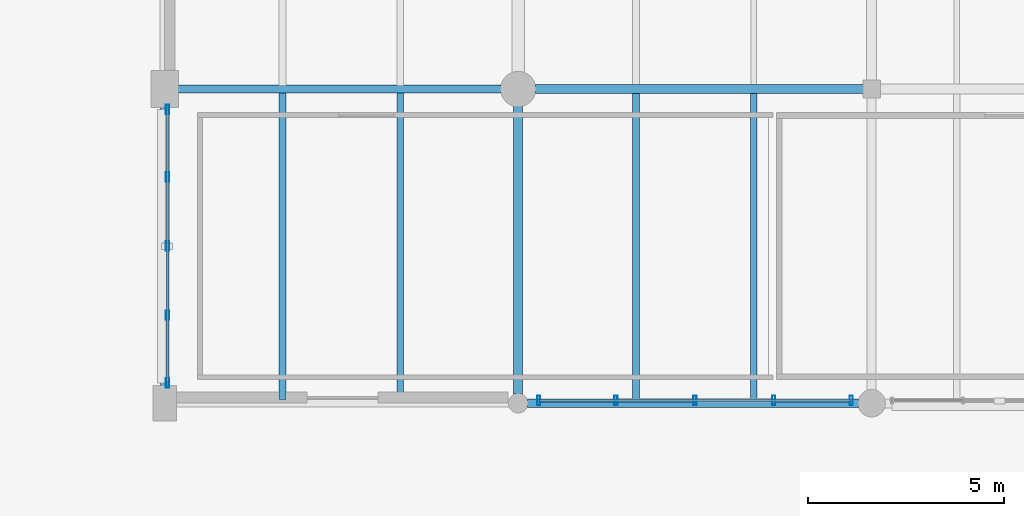
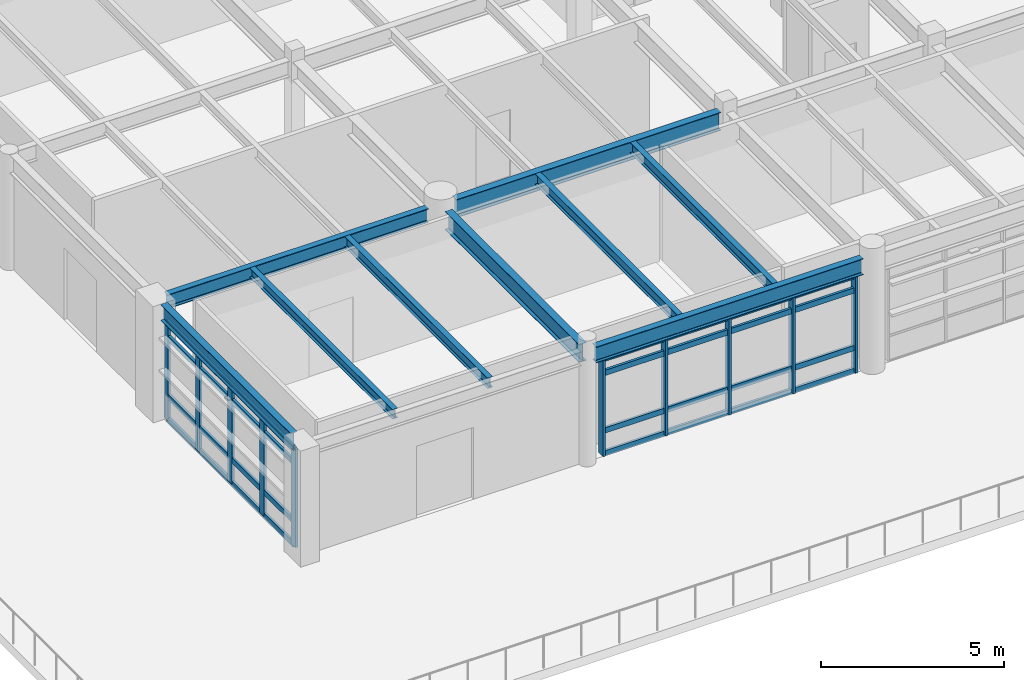
# One storey, part 7 of 56: 18 members, 9 beams, 2 elements without a shape of their own.
"""IFC4 building model written with IfcOpenShell, lengths in metres."""

from ifc_helpers import new_model, si_unit, direction, frame, origin, origin_2d, place, context, subcontext, project, spatial, hollow_rectangle, i_section, extrude, material, material_profile, profile_set, type_object, element, aggregate, save


model = new_model("IFC4")

# Units and contexts
model_context = context("Model", 3, precision=1e-05, world=origin(), true_north=direction((0.0, 1.0)))
body_context = subcontext(model_context, "Body", "Model", "MODEL_VIEW")
ifc_project = project(units=[si_unit("LENGTHUNIT", "METRE"), si_unit("AREAUNIT", "SQUARE_METRE"), si_unit("VOLUMEUNIT", "CUBIC_METRE"), si_unit("PLANEANGLEUNIT", "RADIAN"), si_unit("MASSUNIT", "GRAM", prefix="KILO"), si_unit("THERMODYNAMICTEMPERATUREUNIT", "KELVIN"), si_unit("POWERUNIT", "WATT")], contexts=[model_context])

# Site, building, storey
site_placement = place(None, origin())
site = spatial("IfcSite", under=ifc_project, at=site_placement, CompositionType="ELEMENT")
building_placement = place(site_placement, origin())
building = spatial("IfcBuilding", under=site, at=building_placement, Name="Tepalcoro Natatorium and Aquatics Centre", CompositionType="ELEMENT")
storey_placement = place(building_placement, frame((0.0, 0.0, 14.800048828125)))
storey = spatial("IfcBuildingStorey", under=building, at=storey_placement, Name="L03", CompositionType="ELEMENT", Elevation=14.800048828125)

# Beams
ifc_material_1 = material(Name="Steel ASTM A992 Grade 50 (Fy 345 MPa)", Category="steel")
ifc_material_profile_1 = material_profile(ifc_material_1, i_section(OverallWidth=0.193115234375, OverallDepth=0.467041015625, WebThickness=0.010986328125, FlangeThickness=0.01904296875, FilletRadius=0.013916015625, at=origin_2d()), Name="W18X65")
ifc_profile_set_1 = profile_set([ifc_material_profile_1], Name="Steel ASTM A992 Grade 50 (Fy 345 MPa)")
beam_type_1 = type_object("IfcBeamType", Name="BM_W18x65", PredefinedType="BEAM", material=ifc_profile_set_1)
beam_1_placement = place(storey_placement, frame((107.3349609375, 102.0, 3.571533203125), z_axis=(1.0, 0.0, 0.0), x_axis=(0.0, 1.0, 0.0)))
element("IfcBeam", 1, at=beam_1_placement, inside=storey, type_object=beam_type_1, Name="V5 L03 Grid Girder X", PredefinedType="BEAM", context=body_context, shape_type="SweptSolid", body=[
    extrude(i_section(OverallWidth=0.193115234375, OverallDepth=0.467041015625, WebThickness=0.010986328125, FlangeThickness=0.01904296875, FilletRadius=0.013916015625, at=origin_2d()), origin(), (0.0, 0.0, 1.0), 8.22998046875),
])
ifc_material_profile_2 = material_profile(ifc_material_1, i_section(OverallWidth=0.22802734375, OverallDepth=0.60693359375, WebThickness=0.010986328125, FlangeThickness=0.01708984375, FilletRadius=0.013916015625, at=origin_2d()), Name="W24X76")
ifc_profile_set_2 = profile_set([ifc_material_profile_2], Name="Steel ASTM A992 Grade 50 (Fy 345 MPa)")
beam_type_2 = type_object("IfcBeamType", Name="BM_W24x76", PredefinedType="BEAM", material=ifc_profile_set_2)
beam_2_placement = place(storey_placement, frame((116.43505859375, 102.0, 3.50146484375), z_axis=(1.0, 0.0, 0.0), x_axis=(0.0, 1.0, 0.0)))
element("IfcBeam", 2, at=beam_2_placement, inside=storey, type_object=beam_type_2, Name="V5 L03 Grid Girder X", PredefinedType="BEAM", context=body_context, shape_type="SweptSolid", body=[
    extrude(i_section(OverallWidth=0.22802734375, OverallDepth=0.60693359375, WebThickness=0.010986328125, FlangeThickness=0.01708984375, FilletRadius=0.013916015625, at=origin_2d()), origin(), (0.0, 0.0, 1.0), 8.35498046875),
])
beam_3_placement = place(storey_placement, frame((116.0, 94.235107421875, 3.50146484375), z_axis=(0.0, 1.0, 0.0), x_axis=(-1.0, 0.0, 0.0)))
element("IfcBeam", 3, at=beam_3_placement, inside=storey, type_object=beam_type_2, Name="V5 L03 Grid Girder Y", PredefinedType="BEAM", context=body_context, shape_type="SweptSolid", body=[
    extrude(i_section(OverallWidth=0.22802734375, OverallDepth=0.60693359375, WebThickness=0.010986328125, FlangeThickness=0.01708984375, FilletRadius=0.013916015625, at=origin_2d()), origin(), (0.0, 0.0, 1.0), 7.329833984375),
])

# Curtain wall, members
ifc_material_2 = material(Name="Bronze-Anodised Extruded Aluminium Alloy EN AW-6063 T6", Category="aluminium")
curtain_wall_type_1 = type_object("IfcCurtainWallType", Name="CW_V3_FOYER", PredefinedType="USERDEFINED", material=ifc_material_2)
curtain_wall_1_placement = place(storey_placement, origin())
curtain_wall_1 = element("IfcCurtainWall", 4, at=curtain_wall_1_placement, inside=storey, type_object=curtain_wall_type_1, Name="V5 L03 S Unitised Curtain Wall Bay 2", ObjectType="UNITISED STOREFRONT", PredefinedType="USERDEFINED")
ifc_material_profile_3 = material_profile(ifc_material_2, hollow_rectangle(XDim=0.080078125, YDim=0.239990234375, WallThickness=0.0048828125, at=origin_2d()), Name="AL80X240X5")
ifc_profile_set_3 = profile_set([ifc_material_profile_3], Name="Bronze-Anodised Extruded Aluminium Alloy EN AW-6063 T6")
member_type_1 = type_object("IfcMemberType", Name="CW_MUL_80x240", PredefinedType="MULLION", material=ifc_profile_set_3)
member_1_placement = place(storey_placement, frame((116.52001953125, 94.0712890625, 0.02001953125), z_axis=(0.0, 0.0, 1.0), x_axis=(1.0, 0.0, 0.0)))
member_1 = element("IfcMember", 5, at=member_1_placement, type_object=member_type_1, Name="CW_V3_FOYER Curtain Wall Mullion", PredefinedType="MULLION", context=body_context, shape_type="SweptSolid", body=[
    extrude(hollow_rectangle(XDim=0.080078125, YDim=0.239990234375, WallThickness=0.0048828125, at=origin_2d()), origin(), (0.0, 0.0, 1.0), 3.2138671875),
])
member_2_placement = place(storey_placement, frame((118.489990234375, 94.0712890625, 0.02001953125), z_axis=(0.0, 0.0, 1.0), x_axis=(1.0, 0.0, 0.0)))
member_2 = element("IfcMember", 6, at=member_2_placement, type_object=member_type_1, Name="CW_V3_FOYER Curtain Wall Mullion", PredefinedType="MULLION", context=body_context, shape_type="SweptSolid", body=[
    extrude(hollow_rectangle(XDim=0.080078125, YDim=0.239990234375, WallThickness=0.0048828125, at=origin_2d()), origin(), (0.0, 0.0, 1.0), 3.2138671875),
])
member_3_placement = place(storey_placement, frame((120.5, 94.0712890625, 0.02001953125), z_axis=(0.0, 0.0, 1.0), x_axis=(1.0, 0.0, 0.0)))
member_3 = element("IfcMember", 7, at=member_3_placement, type_object=member_type_1, Name="CW_V3_FOYER Curtain Wall Mullion", PredefinedType="MULLION", context=body_context, shape_type="SweptSolid", body=[
    extrude(hollow_rectangle(XDim=0.080078125, YDim=0.239990234375, WallThickness=0.0048828125, at=origin_2d()), origin(), (0.0, 0.0, 1.0), 3.2138671875),
])
member_4_placement = place(storey_placement, frame((122.510009765625, 94.0712890625, 0.02001953125), z_axis=(0.0, 0.0, 1.0), x_axis=(1.0, 0.0, 0.0)))
member_4 = element("IfcMember", 8, at=member_4_placement, type_object=member_type_1, Name="CW_V3_FOYER Curtain Wall Mullion", PredefinedType="MULLION", context=body_context, shape_type="SweptSolid", body=[
    extrude(hollow_rectangle(XDim=0.080078125, YDim=0.239990234375, WallThickness=0.0048828125, at=origin_2d()), origin(), (0.0, 0.0, 1.0), 3.2138671875),
])
member_5_placement = place(storey_placement, frame((124.47998046875, 94.0712890625, 0.02001953125), z_axis=(0.0, 0.0, 1.0), x_axis=(1.0, 0.0, 0.0)))
member_5 = element("IfcMember", 9, at=member_5_placement, type_object=member_type_1, Name="CW_V3_FOYER Curtain Wall Mullion", PredefinedType="MULLION", context=body_context, shape_type="SweptSolid", body=[
    extrude(hollow_rectangle(XDim=0.080078125, YDim=0.239990234375, WallThickness=0.0048828125, at=origin_2d()), origin(), (0.0, 0.0, 1.0), 3.2138671875),
])

curtain_wall_type_2 = type_object("IfcCurtainWallType", Name="CW_V5_UPPER", PredefinedType="USERDEFINED", material=ifc_material_2)
curtain_wall_2_placement = place(storey_placement, origin())
curtain_wall_2 = element("IfcCurtainWall", 10, at=curtain_wall_2_placement, inside=storey, type_object=curtain_wall_type_2, Name="V5 L03 W Unitised Curtain Wall Bay 1", ObjectType="FACETED SOLAR GLAZING", PredefinedType="USERDEFINED")
member_6_placement = place(storey_placement, frame((107.0712890625, 94.52001953125, 0.02001953125), z_axis=(0.0, 0.0, 1.0), x_axis=(1.0, 0.0, 0.0)))
member_6 = element("IfcMember", 11, at=member_6_placement, type_object=member_type_1, Name="CW_V5_UPPER Curtain Wall Mullion", PredefinedType="MULLION", context=body_context, shape_type="SweptSolid", body=[
    extrude(hollow_rectangle(XDim=0.080078125, YDim=0.239990234375, WallThickness=0.0048828125, at=origin_2d()), origin(), (0.0, 0.0, 1.0), 3.27392578125),
])
member_7_placement = place(storey_placement, frame((107.0712890625, 96.239990234375, 0.02001953125), z_axis=(0.0, 0.0, 1.0), x_axis=(1.0, 0.0, 0.0)))
member_7 = element("IfcMember", 12, at=member_7_placement, type_object=member_type_1, Name="CW_V5_UPPER Curtain Wall Mullion", PredefinedType="MULLION", context=body_context, shape_type="SweptSolid", body=[
    extrude(hollow_rectangle(XDim=0.080078125, YDim=0.239990234375, WallThickness=0.0048828125, at=origin_2d()), origin(), (0.0, 0.0, 1.0), 3.27392578125),
])
member_8_placement = place(storey_placement, frame((107.0712890625, 98.0, 0.02001953125), z_axis=(0.0, 0.0, 1.0), x_axis=(1.0, 0.0, 0.0)))
member_8 = element("IfcMember", 13, at=member_8_placement, type_object=member_type_1, Name="CW_V5_UPPER Curtain Wall Mullion", PredefinedType="MULLION", context=body_context, shape_type="SweptSolid", body=[
    extrude(hollow_rectangle(XDim=0.080078125, YDim=0.239990234375, WallThickness=0.0048828125, at=origin_2d()), origin(), (0.0, 0.0, 1.0), 3.27392578125),
])
member_9_placement = place(storey_placement, frame((107.0712890625, 99.760009765625, 0.02001953125), z_axis=(0.0, 0.0, 1.0), x_axis=(1.0, 0.0, 0.0)))
member_9 = element("IfcMember", 14, at=member_9_placement, type_object=member_type_1, Name="CW_V5_UPPER Curtain Wall Mullion", PredefinedType="MULLION", context=body_context, shape_type="SweptSolid", body=[
    extrude(hollow_rectangle(XDim=0.080078125, YDim=0.239990234375, WallThickness=0.0048828125, at=origin_2d()), origin(), (0.0, 0.0, 1.0), 3.27392578125),
])
member_10_placement = place(storey_placement, frame((107.0712890625, 101.47998046875, 0.02001953125), z_axis=(0.0, 0.0, 1.0), x_axis=(1.0, 0.0, 0.0)))
member_10 = element("IfcMember", 15, at=member_10_placement, type_object=member_type_1, Name="CW_V5_UPPER Curtain Wall Mullion", PredefinedType="MULLION", context=body_context, shape_type="SweptSolid", body=[
    extrude(hollow_rectangle(XDim=0.080078125, YDim=0.239990234375, WallThickness=0.0048828125, at=origin_2d()), origin(), (0.0, 0.0, 1.0), 3.27392578125),
])

# Member
ifc_material_profile_4 = material_profile(ifc_material_2, hollow_rectangle(XDim=0.080078125, YDim=0.179931640625, WallThickness=0.0048828125, at=origin_2d()), Name="AL80X180X5")
ifc_profile_set_4 = profile_set([ifc_material_profile_4], Name="Bronze-Anodised Extruded Aluminium Alloy EN AW-6063 T6")
member_type_2 = type_object("IfcMemberType", Name="CW_TRN_80x180", PredefinedType="USERDEFINED", material=ifc_profile_set_4)
member_11_placement = place(storey_placement, frame((116.530029296875, 94.0712890625, 0.050048828125), z_axis=(1.0, 0.0, 0.0), x_axis=(0.0, 1.0, 0.0)))
member_11 = element("IfcMember", 16, at=member_11_placement, type_object=member_type_2, Name="CW_V3_FOYER Curtain Wall Transom", ObjectType="TRANSOM", PredefinedType="USERDEFINED", context=body_context, shape_type="SweptSolid", body=[
    extrude(hollow_rectangle(XDim=0.080078125, YDim=0.179931640625, WallThickness=0.0048828125, at=origin_2d()), origin(), (0.0, 0.0, 1.0), 7.93994140625),
])

member_12_placement = place(storey_placement, frame((116.530029296875, 94.0712890625, 0.8134765625), z_axis=(1.0, 0.0, 0.0), x_axis=(0.0, 1.0, 0.0)))
member_12 = element("IfcMember", 17, at=member_12_placement, type_object=member_type_2, Name="CW_V3_FOYER Curtain Wall Transom", ObjectType="TRANSOM", PredefinedType="USERDEFINED", context=body_context, shape_type="SweptSolid", body=[
    extrude(hollow_rectangle(XDim=0.080078125, YDim=0.179931640625, WallThickness=0.0048828125, at=origin_2d()), origin(), (0.0, 0.0, 1.0), 7.93994140625),
])

member_13_placement = place(storey_placement, frame((116.530029296875, 94.0712890625, 2.7333984375), z_axis=(1.0, 0.0, 0.0), x_axis=(0.0, 1.0, 0.0)))
member_13 = element("IfcMember", 18, at=member_13_placement, type_object=member_type_2, Name="CW_V3_FOYER Curtain Wall Transom", ObjectType="TRANSOM", PredefinedType="USERDEFINED", context=body_context, shape_type="SweptSolid", body=[
    extrude(hollow_rectangle(XDim=0.080078125, YDim=0.179931640625, WallThickness=0.0048828125, at=origin_2d()), origin(), (0.0, 0.0, 1.0), 7.93994140625),
])

member_14_placement = place(storey_placement, frame((116.530029296875, 94.0712890625, 3.203857421875), z_axis=(1.0, 0.0, 0.0), x_axis=(0.0, 1.0, 0.0)))
member_14 = element("IfcMember", 19, at=member_14_placement, type_object=member_type_2, Name="CW_V3_FOYER Curtain Wall Transom", ObjectType="TRANSOM", PredefinedType="USERDEFINED", context=body_context, shape_type="SweptSolid", body=[
    extrude(hollow_rectangle(XDim=0.080078125, YDim=0.179931640625, WallThickness=0.0048828125, at=origin_2d()), origin(), (0.0, 0.0, 1.0), 7.93994140625),
])

aggregate(curtain_wall_1, [member_1, member_2, member_3, member_4, member_5, member_11, member_12, member_13, member_14])

member_15_placement = place(storey_placement, frame((107.0712890625, 94.530029296875, 0.050048828125), z_axis=(0.0, 1.0, 0.0), x_axis=(-1.0, 0.0, 0.0)))
member_15 = element("IfcMember", 20, at=member_15_placement, type_object=member_type_2, Name="CW_V5_UPPER Curtain Wall Transom", ObjectType="TRANSOM", PredefinedType="USERDEFINED", context=body_context, shape_type="SweptSolid", body=[
    extrude(hollow_rectangle(XDim=0.080078125, YDim=0.179931640625, WallThickness=0.0048828125, at=origin_2d()), origin(), (0.0, 0.0, 1.0), 6.93994140625),
])

member_16_placement = place(storey_placement, frame((107.0712890625, 94.530029296875, 0.828369140625), z_axis=(0.0, 1.0, 0.0), x_axis=(-1.0, 0.0, 0.0)))
member_16 = element("IfcMember", 21, at=member_16_placement, type_object=member_type_2, Name="CW_V5_UPPER Curtain Wall Transom", ObjectType="TRANSOM", PredefinedType="USERDEFINED", context=body_context, shape_type="SweptSolid", body=[
    extrude(hollow_rectangle(XDim=0.080078125, YDim=0.179931640625, WallThickness=0.0048828125, at=origin_2d()), origin(), (0.0, 0.0, 1.0), 6.93994140625),
])

member_17_placement = place(storey_placement, frame((107.0712890625, 94.530029296875, 2.78369140625), z_axis=(0.0, 1.0, 0.0), x_axis=(-1.0, 0.0, 0.0)))
member_17 = element("IfcMember", 22, at=member_17_placement, type_object=member_type_2, Name="CW_V5_UPPER Curtain Wall Transom", ObjectType="TRANSOM", PredefinedType="USERDEFINED", context=body_context, shape_type="SweptSolid", body=[
    extrude(hollow_rectangle(XDim=0.080078125, YDim=0.179931640625, WallThickness=0.0048828125, at=origin_2d()), origin(), (0.0, 0.0, 1.0), 6.93994140625),
])

member_18_placement = place(storey_placement, frame((107.0712890625, 94.530029296875, 3.263916015625), z_axis=(0.0, 1.0, 0.0), x_axis=(-1.0, 0.0, 0.0)))
member_18 = element("IfcMember", 23, at=member_18_placement, type_object=member_type_2, Name="CW_V5_UPPER Curtain Wall Transom", ObjectType="TRANSOM", PredefinedType="USERDEFINED", context=body_context, shape_type="SweptSolid", body=[
    extrude(hollow_rectangle(XDim=0.080078125, YDim=0.179931640625, WallThickness=0.0048828125, at=origin_2d()), origin(), (0.0, 0.0, 1.0), 6.93994140625),
])

aggregate(curtain_wall_2, [member_6, member_7, member_8, member_9, member_10, member_15, member_16, member_17, member_18])

# Beams
ifc_material_profile_5 = material_profile(ifc_material_1, i_section(OverallWidth=0.1669921875, OverallDepth=0.318115234375, WebThickness=0.008056640625, FlangeThickness=0.012939453125, FilletRadius=0.013916015625, at=origin_2d()), Name="W12X35")
ifc_profile_set_5 = profile_set([ifc_material_profile_5], Name="Steel ASTM A992 Grade 50 (Fy 345 MPa)")
beam_type_3 = type_object("IfcBeamType", Name="JS_W12x35", PredefinedType="JOIST", material=ifc_profile_set_5)
beam_4_placement = place(storey_placement, frame((110.0, 94.095458984375, 3.64599609375), z_axis=(0.0, 1.0, 0.0), x_axis=(-1.0, 0.0, 0.0)))
element("IfcBeam", 24, at=beam_4_placement, inside=storey, type_object=beam_type_3, Name="V5 L03 Floor Joist", PredefinedType="JOIST", context=body_context, shape_type="SweptSolid", body=[
    extrude(i_section(OverallWidth=0.1669921875, OverallDepth=0.318115234375, WebThickness=0.008056640625, FlangeThickness=0.012939453125, FilletRadius=0.013916015625, at=origin_2d()), origin(), (0.0, 0.0, 1.0), 7.80810546875),
])
ifc_material_profile_6 = material_profile(ifc_material_1, i_section(OverallWidth=0.1708984375, OverallDepth=0.35107421875, WebThickness=0.007080078125, FlangeThickness=0.010009765625, FilletRadius=0.013916015625, at=origin_2d()), Name="W14X30")
ifc_profile_set_6 = profile_set([ifc_material_profile_6], Name="Steel ASTM A992 Grade 50 (Fy 345 MPa)")
beam_type_4 = type_object("IfcBeamType", Name="JS_W14x30", PredefinedType="JOIST", material=ifc_profile_set_6)
beam_5_placement = place(storey_placement, frame((113.0, 94.095458984375, 3.62939453125), z_axis=(0.0, 1.0, 0.0), x_axis=(-1.0, 0.0, 0.0)))
element("IfcBeam", 25, at=beam_5_placement, inside=storey, type_object=beam_type_4, Name="V5 L03 Floor Joist", PredefinedType="JOIST", context=body_context, shape_type="SweptSolid", body=[
    extrude(i_section(OverallWidth=0.1708984375, OverallDepth=0.35107421875, WebThickness=0.007080078125, FlangeThickness=0.010009765625, FilletRadius=0.013916015625, at=origin_2d()), origin(), (0.0, 0.0, 1.0), 7.80810546875),
])
beam_6_placement = place(storey_placement, frame((119.0, 94.10498046875, 3.62939453125), z_axis=(0.0, 1.0, 0.0), x_axis=(-1.0, 0.0, 0.0)))
element("IfcBeam", 26, at=beam_6_placement, inside=storey, type_object=beam_type_4, Name="V5 L03 Floor Joist", PredefinedType="JOIST", context=body_context, shape_type="SweptSolid", body=[
    extrude(i_section(OverallWidth=0.1708984375, OverallDepth=0.35107421875, WebThickness=0.007080078125, FlangeThickness=0.010009765625, FilletRadius=0.013916015625, at=origin_2d()), origin(), (0.0, 0.0, 1.0), 7.781005859375),
])
ifc_material_profile_7 = material_profile(ifc_material_1, i_section(OverallWidth=0.172119140625, OverallDepth=0.35791015625, WebThickness=0.008056640625, FlangeThickness=0.012939453125, FilletRadius=0.013916015625, at=origin_2d()), Name="W14X38")
ifc_profile_set_7 = profile_set([ifc_material_profile_7], Name="Steel ASTM A992 Grade 50 (Fy 345 MPa)")
beam_type_5 = type_object("IfcBeamType", Name="JS_W14x38", PredefinedType="JOIST", material=ifc_profile_set_7)
beam_7_placement = place(storey_placement, frame((122.0, 94.10498046875, 3.6259765625), z_axis=(0.0, 1.0, 0.0), x_axis=(-1.0, 0.0, 0.0)))
element("IfcBeam", 27, at=beam_7_placement, inside=storey, type_object=beam_type_5, Name="V5 L03 Floor Joist", PredefinedType="JOIST", context=body_context, shape_type="SweptSolid", body=[
    extrude(i_section(OverallWidth=0.172119140625, OverallDepth=0.35791015625, WebThickness=0.008056640625, FlangeThickness=0.012939453125, FilletRadius=0.013916015625, at=origin_2d()), origin(), (0.0, 0.0, 1.0), 7.781005859375),
])
ifc_material_profile_8 = material_profile(ifc_material_1, i_section(OverallWidth=0.2099609375, OverallDepth=0.535888671875, WebThickness=0.010986328125, FlangeThickness=0.01708984375, FilletRadius=0.013916015625, at=origin_2d()), Name="W21X68")
ifc_profile_set_8 = profile_set([ifc_material_profile_8], Name="Steel ASTM A992 Grade 50 (Fy 345 MPa)")
beam_type_6 = type_object("IfcBeamType", Name="SP_W21x68", PredefinedType="SPANDREL", material=ifc_profile_set_8)
beam_8_placement = place(storey_placement, frame((116.235107421875, 94.0, 3.536865234375), z_axis=(1.0, 0.0, 0.0), x_axis=(0.0, 1.0, 0.0)))
element("IfcBeam", 28, at=beam_8_placement, inside=storey, type_object=beam_type_6, Name="V5 L03 Grid Girder X", PredefinedType="SPANDREL", context=body_context, shape_type="SweptSolid", body=[
    extrude(i_section(OverallWidth=0.2099609375, OverallDepth=0.535888671875, WebThickness=0.010986328125, FlangeThickness=0.01708984375, FilletRadius=0.013916015625, at=origin_2d()), origin(), (0.0, 0.0, 1.0), 8.429931640625),
])
beam_9_placement = place(storey_placement, frame((107.0, 94.43505859375, 3.596923828125), z_axis=(0.0, 1.0, 0.0), x_axis=(-1.0, 0.0, 0.0)))
element("IfcBeam", 29, at=beam_9_placement, inside=storey, type_object=beam_type_6, Name="V5 L03 Grid Girder Y", PredefinedType="SPANDREL", context=body_context, shape_type="SweptSolid", body=[
    extrude(i_section(OverallWidth=0.2099609375, OverallDepth=0.535888671875, WebThickness=0.010986328125, FlangeThickness=0.01708984375, FilletRadius=0.013916015625, at=origin_2d()), origin(), (0.0, 0.0, 1.0), 7.10498046875),
])

save(model, "model.ifc")
